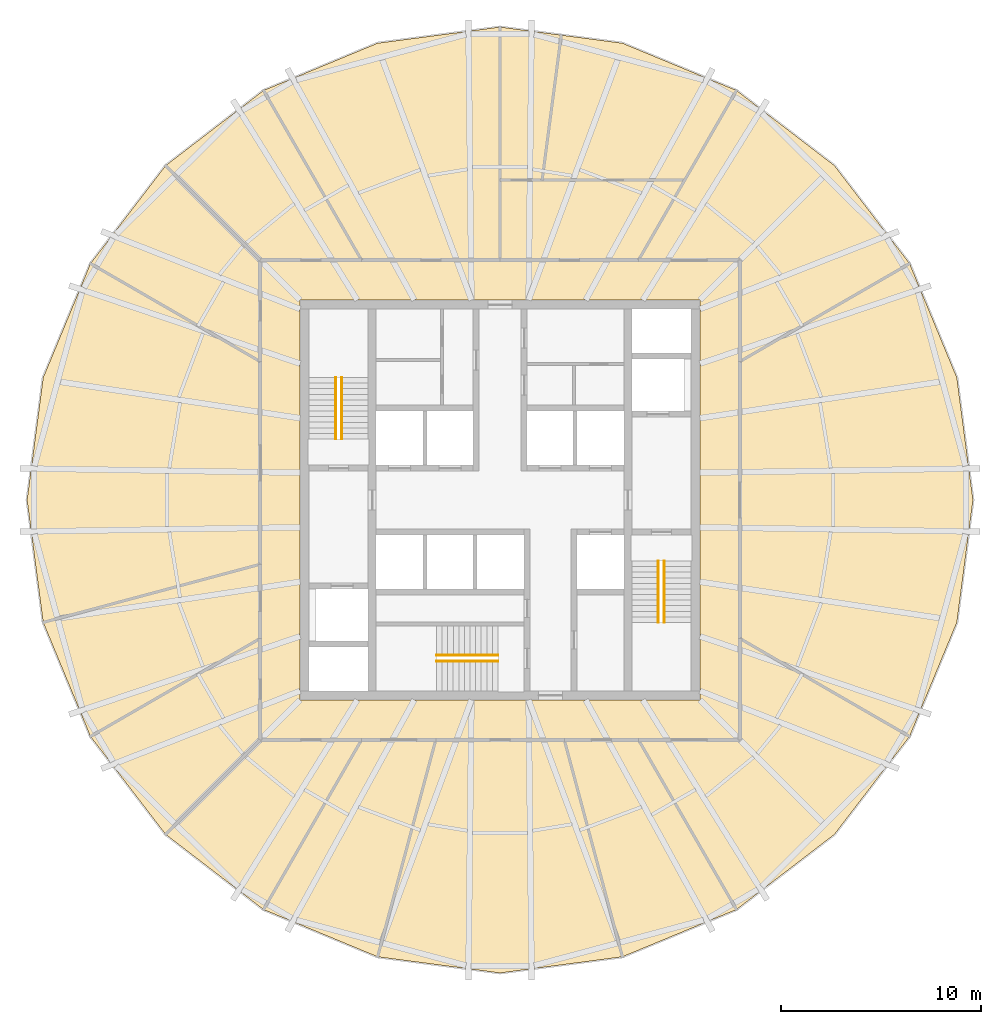
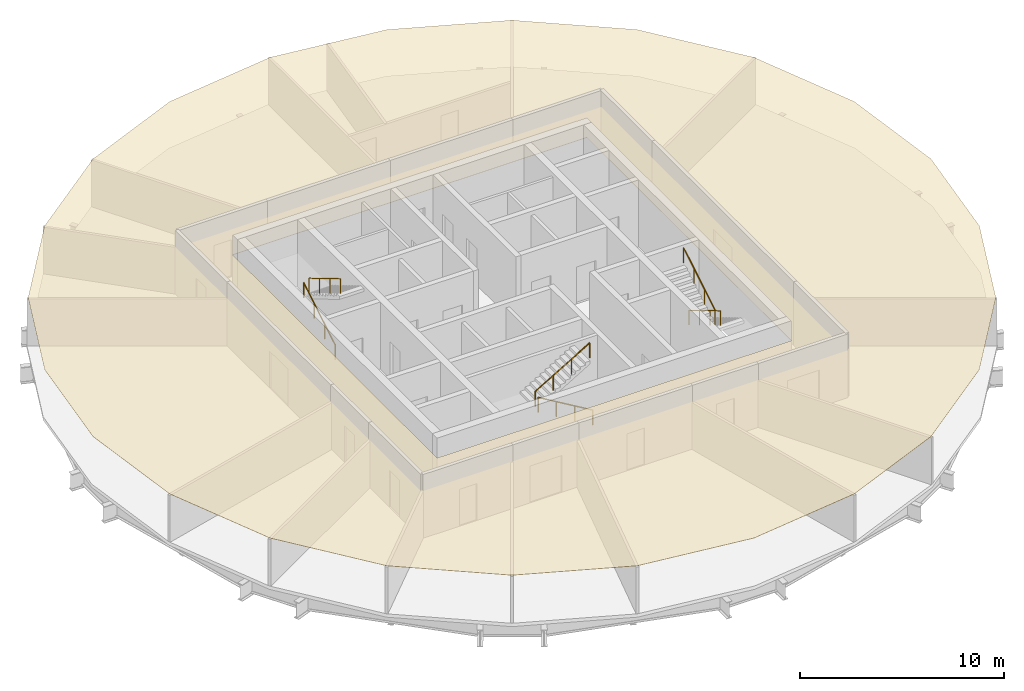
# One storey, part 6 of 6: 6 railings, 1 covering.
"""IFC4 building model written with IfcOpenShell, lengths in metres."""

from ifc_helpers import new_model, si_unit, direction, frame, origin, origin_2d, place, context, subcontext, project, spatial, polyline, circle, outline, extrude, material, layer, layer_set, type_object, element, save


model = new_model("IFC4")

# Units and contexts
model_context = context("Model", 3, precision=1e-05, world=origin(), true_north=direction((0.0, 1.0)))
body_context = subcontext(model_context, "Body", "Model", "MODEL_VIEW")
ifc_project = project(units=[si_unit("LENGTHUNIT", "METRE"), si_unit("AREAUNIT", "SQUARE_METRE"), si_unit("VOLUMEUNIT", "CUBIC_METRE"), si_unit("PLANEANGLEUNIT", "RADIAN"), si_unit("MASSUNIT", "GRAM", prefix="KILO")], contexts=[model_context])

# Site, building, storey
site_placement = place(None, origin())
site = spatial("IfcSite", under=ifc_project, at=site_placement, CompositionType="ELEMENT")
building_placement = place(site_placement, origin())
building = spatial("IfcBuilding", under=site, at=building_placement, Name="Golbaran Civic Tower", CompositionType="ELEMENT")
storey_placement = place(building_placement, frame((0.0, 0.0, 187.0)))
storey = spatial("IfcBuildingStorey", under=building, at=storey_placement, Name="L45", CompositionType="ELEMENT", Elevation=187.0)

# Railings
ifc_material_1 = material(Name="Stainless steel", Category="steel")
railing_type = type_object("IfcRailingType", Name="STAIR HANDRAIL 900", PredefinedType="HANDRAIL", material=ifc_material_1)
railing_1_placement = place(storey_placement, frame((-8.22509765625, 3.050048828125, 0.166748046875)))
element("IfcRailing", 1, at=railing_1_placement, inside=storey, type_object=railing_type, Name="Stair S1 handrail flight 1 L45", PredefinedType="HANDRAIL", context=body_context, shape_type="SweptSolid", body=[
    extrude(circle(Radius=0.02392578125, at=origin_2d()), frame((0.0, 0.0, 0.8759765625), z_axis=(0.0, 0.859290745958, 0.51148745235), x_axis=(-1.0, 0.0, 0.0)), (0.0, 0.0, 1.0), 3.584228515625),
    extrude(circle(Radius=0.02099609375, at=origin_2d()), origin(), (0.0, 0.0, 1.0), 0.851806640625),
    extrude(circle(Radius=0.02099609375, at=origin_2d()), frame((0.0, 1.026611328125, 0.611083984375)), (0.0, 0.0, 1.0), 0.851806640625),
    extrude(circle(Radius=0.02099609375, at=origin_2d()), frame((0.0, 2.05322265625, 1.22216796875)), (0.0, 0.0, 1.0), 0.851806640625),
    extrude(circle(Radius=0.02099609375, at=origin_2d()), frame((0.0, 3.079833984375, 1.833251953125)), (0.0, 0.0, 1.0), 0.851806640625),
])
for number, where, name in (
    (2, (-7.925048828125, 6.1298828125, 2.166748046875), "Stair S1 handrail flight 2 L45"),
    (3, (8.22509765625, -3.050048828125, 0.166748046875), "Stair S2 handrail flight 1 L45"),
):
    element("IfcRailing", number, at=place(storey_placement, frame(where)), inside=storey, type_object=railing_type, Name=name, PredefinedType="HANDRAIL", context=body_context, shape_type="SweptSolid", body=[
        extrude(circle(Radius=0.02392578125, at=origin_2d()), frame((0.0, 0.0, 0.8759765625), z_axis=(0.0, -0.859290745958, 0.51148745235), x_axis=(1.0, 0.0, 0.0)), (0.0, 0.0, 1.0), 3.584228515625),
        extrude(circle(Radius=0.02099609375, at=origin_2d()), origin(), (0.0, 0.0, 1.0), 0.851806640625),
        extrude(circle(Radius=0.02099609375, at=origin_2d()), frame((0.0, -1.026611328125, 0.611083984375)), (0.0, 0.0, 1.0), 0.851806640625),
        extrude(circle(Radius=0.02099609375, at=origin_2d()), frame((0.0, -2.05322265625, 1.22216796875)), (0.0, 0.0, 1.0), 0.851806640625),
        extrude(circle(Radius=0.02099609375, at=origin_2d()), frame((0.0, -3.079833984375, 1.833251953125)), (0.0, 0.0, 1.0), 0.851806640625),
    ])
railing_2_placement = place(storey_placement, frame((7.925048828125, -6.1298828125, 2.166748046875)))
element("IfcRailing", 4, at=railing_2_placement, inside=storey, type_object=railing_type, Name="Stair S2 handrail flight 2 L45", PredefinedType="HANDRAIL", context=body_context, shape_type="SweptSolid", body=[
    extrude(circle(Radius=0.02392578125, at=origin_2d()), frame((0.0, 0.0, 0.8759765625), z_axis=(0.0, 0.859290745958, 0.51148745235), x_axis=(-1.0, 0.0, 0.0)), (0.0, 0.0, 1.0), 3.584228515625),
    extrude(circle(Radius=0.02099609375, at=origin_2d()), origin(), (0.0, 0.0, 1.0), 0.851806640625),
    extrude(circle(Radius=0.02099609375, at=origin_2d()), frame((0.0, 1.026611328125, 0.611083984375)), (0.0, 0.0, 1.0), 0.851806640625),
    extrude(circle(Radius=0.02099609375, at=origin_2d()), frame((0.0, 2.05322265625, 1.22216796875)), (0.0, 0.0, 1.0), 0.851806640625),
    extrude(circle(Radius=0.02099609375, at=origin_2d()), frame((0.0, 3.079833984375, 1.833251953125)), (0.0, 0.0, 1.0), 0.851806640625),
])
railing_3_placement = place(storey_placement, frame((-0.10009765625, -8.074951171875, 0.166748046875)))
element("IfcRailing", 5, at=railing_3_placement, inside=storey, type_object=railing_type, Name="Stair S3 handrail flight 1 L45", PredefinedType="HANDRAIL", context=body_context, shape_type="SweptSolid", body=[
    extrude(circle(Radius=0.02392578125, at=origin_2d()), frame((0.0, 0.0, 0.8759765625), z_axis=(-0.859290745958, 0.0, 0.51148745235), x_axis=(0.0, -1.0, 0.0)), (0.0, 0.0, 1.0), 3.584228515625),
    extrude(circle(Radius=0.02099609375, at=origin_2d()), origin(), (0.0, 0.0, 1.0), 0.851806640625),
    extrude(circle(Radius=0.02099609375, at=origin_2d()), frame((-1.026611328125, 0.0, 0.611083984375)), (0.0, 0.0, 1.0), 0.851806640625),
    extrude(circle(Radius=0.02099609375, at=origin_2d()), frame((-2.05322265625, 0.0, 1.22216796875)), (0.0, 0.0, 1.0), 0.851806640625),
    extrude(circle(Radius=0.02099609375, at=origin_2d()), frame((-3.079833984375, 0.0, 1.833251953125)), (0.0, 0.0, 1.0), 0.851806640625),
])
railing_4_placement = place(storey_placement, frame((-3.179931640625, -7.77490234375, 2.166748046875)))
element("IfcRailing", 6, at=railing_4_placement, inside=storey, type_object=railing_type, Name="Stair S3 handrail flight 2 L45", PredefinedType="HANDRAIL", context=body_context, shape_type="SweptSolid", body=[
    extrude(circle(Radius=0.02392578125, at=origin_2d()), frame((0.0, 0.0, 0.8759765625), z_axis=(0.859290745958, 0.0, 0.51148745235), x_axis=(0.0, 1.0, 0.0)), (0.0, 0.0, 1.0), 3.584228515625),
    extrude(circle(Radius=0.02099609375, at=origin_2d()), origin(), (0.0, 0.0, 1.0), 0.851806640625),
    extrude(circle(Radius=0.02099609375, at=origin_2d()), frame((1.026611328125, 0.0, 0.611083984375)), (0.0, 0.0, 1.0), 0.851806640625),
    extrude(circle(Radius=0.02099609375, at=origin_2d()), frame((2.05322265625, 0.0, 1.22216796875)), (0.0, 0.0, 1.0), 0.851806640625),
    extrude(circle(Radius=0.02099609375, at=origin_2d()), frame((3.079833984375, 0.0, 1.833251953125)), (0.0, 0.0, 1.0), 0.851806640625),
])

# Covering
ifc_material_2 = material(Name="Mineral fibre tile on steel grid", Category="steel")
ifc_layer = layer(ifc_material_2, 0.02001953125, Name="Mineral fibre tile on steel grid")
ifc_layer_set = layer_set([ifc_layer], Name="Mineral fibre tile on steel grid")
covering_type = type_object("IfcCoveringType", Name="SUSPENDED CEILING 600 TILE 20", PredefinedType="CEILING", material=ifc_layer_set)
covering_placement = place(storey_placement, frame((0.0, 0.0, 2.800048828125)))
element("IfcCovering", 7, at=covering_placement, inside=storey, type_object=covering_type, Name="Suspended ceiling L45", PredefinedType="CEILING", context=body_context, shape_type="SweptSolid", body=[
    extrude(outline(polyline([(-20.491943359375, 11.8310546875), (-16.7314453125, 16.7314453125), (-11.8310546875, 20.491943359375), (-6.124267578125, 22.855712890625), (0.0, 23.662109375), (6.124267578125, 22.855712890625), (11.8310546875, 20.491943359375), (16.7314453125, 16.7314453125), (20.491943359375, 11.8310546875), (22.855712890625, 6.124267578125), (23.662109375, 0.0), (22.855712890625, -6.124267578125), (20.491943359375, -11.8310546875), (16.7314453125, -16.7314453125), (11.8310546875, -20.491943359375), (6.124267578125, -22.855712890625), (0.0, -23.662109375), (-6.124267578125, -22.855712890625), (-11.8310546875, -20.491943359375), (-16.7314453125, -16.7314453125), (-20.491943359375, -11.8310546875), (-22.855712890625, -6.124267578125), (-23.662109375, 0.0), (-22.855712890625, 6.124267578125), (-20.491943359375, 11.8310546875)]), holes=[polyline([(10.0, 10.0), (-10.0, 10.0), (-10.0, -10.0), (10.0, -10.0), (10.0, 10.0)])]), origin(), (0.0, 0.0, 1.0), 0.02001953125),
])

save(model, "model.ifc")
